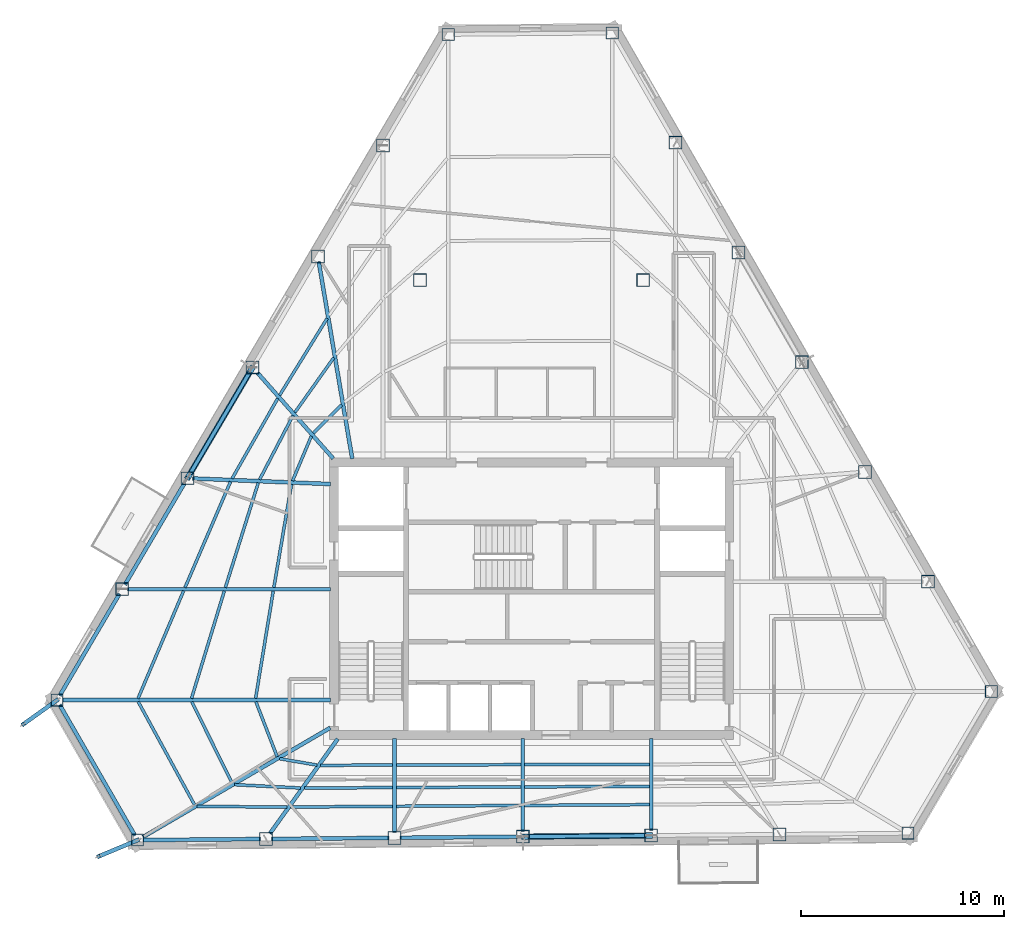
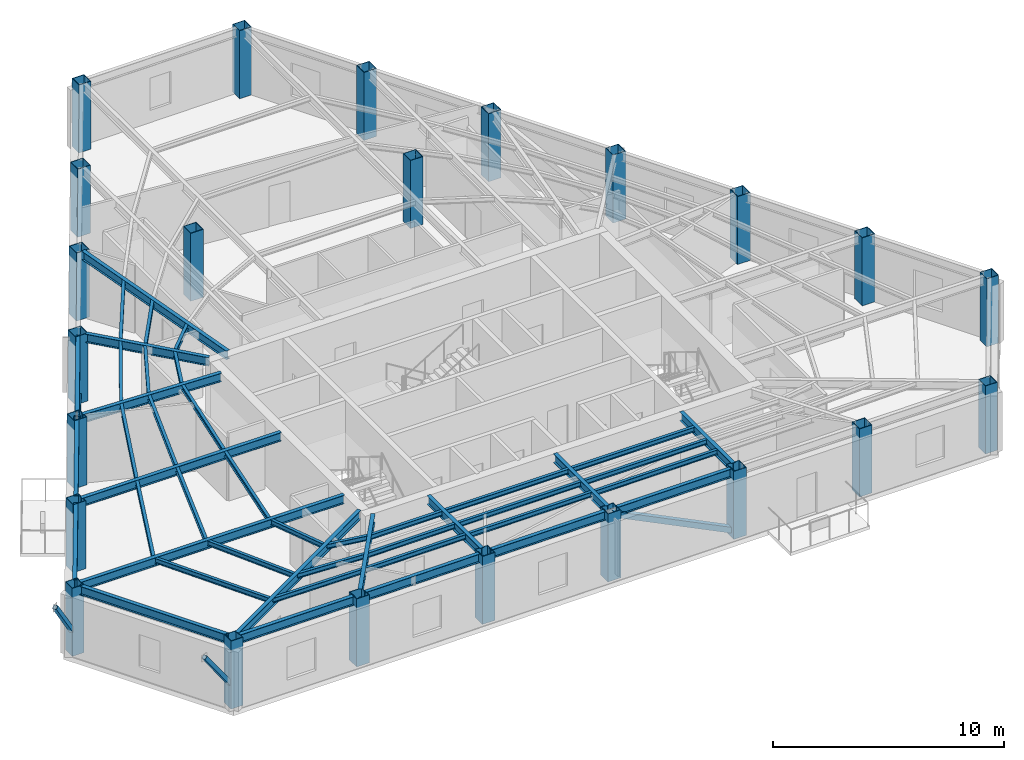
# One storey, part 1 of 14: 45 beams, 23 columns, 4 members.
"""IFC4 building model written with IfcOpenShell, lengths in metres."""

from ifc_helpers import new_model, si_unit, direction, frame, origin, origin_2d, place, context, subcontext, project, spatial, hollow_rectangle, i_section, extrude, material, material_profile, profile_set, type_object, element, save


model = new_model("IFC4")

# Units and contexts
model_context = context("Model", 3, precision=1e-05, world=origin(), true_north=direction((0.0, 1.0)))
body_context = subcontext(model_context, "Body", "Model", "MODEL_VIEW")
ifc_project = project(units=[si_unit("LENGTHUNIT", "METRE"), si_unit("AREAUNIT", "SQUARE_METRE"), si_unit("VOLUMEUNIT", "CUBIC_METRE"), si_unit("PLANEANGLEUNIT", "RADIAN"), si_unit("MASSUNIT", "GRAM", prefix="KILO")], contexts=[model_context])

# Site, building, storey
site_placement = place(None, origin())
site = spatial("IfcSite", under=ifc_project, at=site_placement, CompositionType="ELEMENT")
building_placement = place(site_placement, origin())
building = spatial("IfcBuilding", under=site, at=building_placement, Name="Kavelnor Concourse Tower", CompositionType="ELEMENT")
storey_placement = place(building_placement, frame((0.0, 0.0, 215.050048828125)))
storey = spatial("IfcBuildingStorey", under=building, at=storey_placement, Name="L54", CompositionType="ELEMENT", Elevation=215.050048828125)

# Columns
ifc_material = material(Name="Steel Grade 350", Category="steel")
ifc_material_profile_1 = material_profile(ifc_material, hollow_rectangle(XDim=0.60009765625, YDim=0.60009765625, WallThickness=0.028076171875, at=origin_2d()), Name="SHS 600x600x28")
ifc_profile_set_1 = profile_set([ifc_material_profile_1], Name="Steel Grade 350")
column_type_1 = type_object("IfcColumnType", Name="COL-FOLD-Z3", PredefinedType="COLUMN", material=ifc_profile_set_1)
for number, where, z_axis, x_axis, name in (
    (1, (33.890380859375, 43.91650390625, 0.0), (0.0, 0.0, 1.0), (1.0, 0.0, 0.0), "L54 Perimeter Corner-Fold Column F0-B0"),
    (2, (14.60546875, 11.100830078125, 0.0), (0.0, 0.0, 1.0), (1.0, 0.0, 0.0), "L54 Perimeter Corner-Fold Column F0-B6"),
    (3, (18.577392578125, 4.20068359375, 0.0), (0.0, 0.0, 1.0), (1.0, 0.0, 0.0), "L54 Perimeter Corner-Fold Column F1-B0"),
    (4, (56.552978515625, 4.542236328125, 0.0), (0.0, 0.0, 1.0), (1.0, 0.0, 0.0), "L54 Perimeter Corner-Fold Column F1-B6"),
    (5, (60.65966796875, 11.5302734375, 0.0), (0.0, 0.0, 1.0), (1.0, 0.0, 0.0), "L54 Perimeter Corner-Fold Column F2-B0"),
    (6, (41.97509765625, 43.9892578125, 0.0), (0.0, 0.0, 1.0), (1.0, 0.0, 0.0), "L54 Perimeter Corner-Fold Column F2-B6"),
):
    element("IfcColumn", number, at=place(storey_placement, frame(where, z_axis=z_axis, x_axis=x_axis)), inside=storey, type_object=column_type_1, Name=name, PredefinedType="COLUMN", context=body_context, shape_type="SweptSolid", body=[
        extrude(hollow_rectangle(XDim=0.60009765625, YDim=0.60009765625, WallThickness=0.028076171875, at=origin_2d()), origin(), (0.0, 0.0, 1.0), 3.599853515625),
    ])
ifc_material_profile_2 = material_profile(ifc_material, hollow_rectangle(XDim=0.639892578125, YDim=0.639892578125, WallThickness=0.028076171875, at=origin_2d()), Name="SHS 640x640x28")
ifc_profile_set_2 = profile_set([ifc_material_profile_2], Name="Steel Grade 350")
column_type_2 = type_object("IfcColumnType", Name="COL-TUBE-Z3", PredefinedType="COLUMN", material=ifc_profile_set_2)
for number, where, z_axis, x_axis, name in (
    (7, (30.67626953125, 38.447265625, 0.0), (0.0, 0.0, 1.0), (1.0, 0.0, 0.0), "L54 Perimeter Framed-Tube Column F0-B1"),
    (8, (27.4619140625, 32.97802734375, 0.0), (0.0, 0.0, 1.0), (1.0, 0.0, 0.0), "L54 Perimeter Framed-Tube Column F0-B2"),
    (9, (24.247802734375, 27.5087890625, 0.0), (0.0, 0.0, 1.0), (1.0, 0.0, 0.0), "L54 Perimeter Framed-Tube Column F0-B3"),
    (10, (21.03369140625, 22.03955078125, 0.0), (0.0, 0.0, 1.0), (1.0, 0.0, 0.0), "L54 Perimeter Framed-Tube Column F0-B4"),
    (11, (17.819580078125, 16.5703125, 0.0), (0.0, 0.0, 1.0), (1.0, 0.0, 0.0), "L54 Perimeter Framed-Tube Column F0-B5"),
    (12, (24.90673828125, 4.257568359375, 0.0), (0.0, 0.0, 1.0), (1.0, 0.0, 0.0), "L54 Perimeter Framed-Tube Column F1-B1"),
    (13, (31.236083984375, 4.314453125, 0.0), (0.0, 0.0, 1.0), (1.0, 0.0, 0.0), "L54 Perimeter Framed-Tube Column F1-B2"),
    (14, (37.565185546875, 4.37158203125, 0.0), (0.0, 0.0, 1.0), (1.0, 0.0, 0.0), "L54 Perimeter Framed-Tube Column F1-B3"),
    (15, (43.89453125, 4.428466796875, 0.0), (0.0, 0.0, 1.0), (1.0, 0.0, 0.0), "L54 Perimeter Framed-Tube Column F1-B4"),
    (16, (50.223876953125, 4.4853515625, 0.0), (0.0, 0.0, 1.0), (1.0, 0.0, 0.0), "L54 Perimeter Framed-Tube Column F1-B5"),
    (17, (57.54541015625, 16.93994140625, 0.0), (0.0, 0.0, 1.0), (1.0, 0.0, 0.0), "L54 Perimeter Framed-Tube Column F2-B1"),
    (18, (54.431396484375, 22.349853515625, 0.0), (0.0, 0.0, 1.0), (1.0, 0.0, 0.0), "L54 Perimeter Framed-Tube Column F2-B2"),
    (19, (51.3173828125, 27.759765625, 0.0), (0.0, 0.0, 1.0), (1.0, 0.0, 0.0), "L54 Perimeter Framed-Tube Column F2-B3"),
    (20, (48.203369140625, 33.169677734375, 0.0), (0.0, 0.0, 1.0), (1.0, 0.0, 0.0), "L54 Perimeter Framed-Tube Column F2-B4"),
    (21, (45.089111328125, 38.57958984375, 0.0), (0.0, 0.0, 1.0), (1.0, 0.0, 0.0), "L54 Perimeter Framed-Tube Column F2-B5"),
    (22, (32.5, 31.800048828125, 0.0), (0.0, 0.0, 1.0), (1.0, 0.0, 0.0), "L54 North Interior Gravity Column BC-NW"),
    (23, (43.5, 31.800048828125, 0.0), (0.0, 0.0, 1.0), (1.0, 0.0, 0.0), "L54 North Interior Gravity Column BC-NE"),
):
    element("IfcColumn", number, at=place(storey_placement, frame(where, z_axis=z_axis, x_axis=x_axis)), inside=storey, type_object=column_type_2, Name=name, PredefinedType="COLUMN", context=body_context, shape_type="SweptSolid", body=[
        extrude(hollow_rectangle(XDim=0.639892578125, YDim=0.639892578125, WallThickness=0.028076171875, at=origin_2d()), origin(), (0.0, 0.0, 1.0), 3.599853515625),
    ])

# Beams
ifc_material_profile_3 = material_profile(ifc_material, i_section(OverallWidth=0.14599609375, OverallDepth=0.256103515625, WebThickness=0.00634765625, FlangeThickness=0.010986328125, at=origin_2d()), Name="250UB37")
ifc_profile_set_3 = profile_set([ifc_material_profile_3], Name="Steel Grade 350")
beam_type_1 = type_object("IfcBeamType", Name="BM-JOIST-250", PredefinedType="JOIST", material=ifc_profile_set_3)
beam_1_placement = place(storey_placement, frame((24.412109375, 11.017822265625, 3.471923828125), z_axis=(0.360677433914, -0.932690617871, 0.0), x_axis=(0.932690617871, 0.360677433914, 0.0)))
element("IfcBeam", 24, at=beam_1_placement, inside=storey, type_object=beam_type_1, Name="L54 Secondary Composite Joist 01-1", PredefinedType="JOIST", context=body_context, shape_type="SweptSolid", body=[
    extrude(i_section(OverallWidth=0.14599609375, OverallDepth=0.256103515625, WebThickness=0.00634765625, FlangeThickness=0.010986328125, at=origin_2d()), origin(), (0.0, 0.0, 1.0), 2.8984375),
])
beam_2_placement = place(storey_placement, frame((21.248046875, 11.021240234375, 3.471923828125), z_axis=(0.444632572189, -0.895713054359, 0.0), x_axis=(0.895713054359, 0.444632572189, 0.0)))
element("IfcBeam", 25, at=beam_2_placement, inside=storey, type_object=beam_type_1, Name="L54 Secondary Composite Joist 01-2", PredefinedType="JOIST", context=body_context, shape_type="SweptSolid", body=[
    extrude(i_section(OverallWidth=0.14599609375, OverallDepth=0.256103515625, WebThickness=0.00634765625, FlangeThickness=0.010986328125, at=origin_2d()), origin(), (0.0, 0.0, 1.0), 4.468017578125),
])
beam_3_placement = place(storey_placement, frame((18.608154296875, 11.022705078125, 3.471923828125), z_axis=(0.479513645411, -0.877534423179, 0.0), x_axis=(0.877534423179, 0.479513645411, 0.0)))
element("IfcBeam", 26, at=beam_3_placement, inside=storey, type_object=beam_type_1, Name="L54 Secondary Composite Joist 01-3", PredefinedType="JOIST", context=body_context, shape_type="SweptSolid", body=[
    extrude(i_section(OverallWidth=0.14599609375, OverallDepth=0.256103515625, WebThickness=0.00634765625, FlangeThickness=0.010986328125, at=origin_2d()), origin(), (0.0, 0.0, 1.0), 5.791015625),
])
beam_4_placement = place(storey_placement, frame((25.577392578125, 8.21630859375, 3.471923828125), z_axis=(0.98562411995, -0.168952934787, 0.0), x_axis=(0.168952934787, 0.98562411995, 0.0)))
element("IfcBeam", 27, at=beam_4_placement, inside=storey, type_object=beam_type_1, Name="L54 Secondary Composite Joist 02-1", PredefinedType="JOIST", context=body_context, shape_type="SweptSolid", body=[
    extrude(i_section(OverallWidth=0.14599609375, OverallDepth=0.256103515625, WebThickness=0.00634765625, FlangeThickness=0.010986328125, at=origin_2d()), origin(), (0.0, 0.0, 1.0), 1.868408203125),
])
beam_5_placement = place(storey_placement, frame((23.363037109375, 6.93505859375, 3.471923828125), z_axis=(0.99871466304, -0.050685518935, 0.0), x_axis=(0.050685518935, 0.99871466304, 0.0)))
element("IfcBeam", 28, at=beam_5_placement, inside=storey, type_object=beam_type_1, Name="L54 Secondary Composite Joist 02-2", PredefinedType="JOIST", context=body_context, shape_type="SweptSolid", body=[
    extrude(i_section(OverallWidth=0.14599609375, OverallDepth=0.256103515625, WebThickness=0.00634765625, FlangeThickness=0.010986328125, at=origin_2d()), origin(), (0.0, 0.0, 1.0), 3.256103515625),
])
beam_6_placement = place(storey_placement, frame((21.516845703125, 5.8623046875, 3.471923828125), z_axis=(0.999977389789, -0.006724575105, 0.0), x_axis=(0.006724575105, 0.999977389789, 0.0)))
element("IfcBeam", 29, at=beam_6_placement, inside=storey, type_object=beam_type_1, Name="L54 Secondary Composite Joist 02-3", PredefinedType="JOIST", context=body_context, shape_type="SweptSolid", body=[
    extrude(i_section(OverallWidth=0.14599609375, OverallDepth=0.256103515625, WebThickness=0.00634765625, FlangeThickness=0.010986328125, at=origin_2d()), origin(), (0.0, 0.0, 1.0), 4.42919921875),
])
beam_7_placement = place(storey_placement, frame((27.595703125, 7.885986328125, 3.471923828125), z_axis=(0.999986707805, 0.005155988113, 0.0), x_axis=(-0.005155988113, 0.999986707805, 0.0)))
element("IfcBeam", 30, at=beam_7_placement, inside=storey, type_object=beam_type_1, Name="L54 Secondary Composite Joist 03-1", PredefinedType="JOIST", context=body_context, shape_type="SweptSolid", body=[
    extrude(i_section(OverallWidth=0.14599609375, OverallDepth=0.256103515625, WebThickness=0.00634765625, FlangeThickness=0.010986328125, at=origin_2d()), origin(), (0.0, 0.0, 1.0), 3.55126953125),
])
beam_8_placement = place(storey_placement, frame((26.79296875, 6.76611328125, 3.471923828125), z_axis=(0.999979209994, 0.006448223009, 0.0), x_axis=(-0.006448223009, 0.999979209994, 0.0)))
element("IfcBeam", 31, at=beam_8_placement, inside=storey, type_object=beam_type_1, Name="L54 Secondary Composite Joist 03-2", PredefinedType="JOIST", context=body_context, shape_type="SweptSolid", body=[
    extrude(i_section(OverallWidth=0.14599609375, OverallDepth=0.256103515625, WebThickness=0.00634765625, FlangeThickness=0.010986328125, at=origin_2d()), origin(), (0.0, 0.0, 1.0), 4.35400390625),
])
beam_9_placement = place(storey_placement, frame((26.1240234375, 5.83251953125, 3.471923828125), z_axis=(0.999973776661, 0.007241960373, 0.0), x_axis=(-0.007241960373, 0.999973776661, 0.0)))
element("IfcBeam", 32, at=beam_9_placement, inside=storey, type_object=beam_type_1, Name="L54 Secondary Composite Joist 03-3", PredefinedType="JOIST", context=body_context, shape_type="SweptSolid", body=[
    extrude(i_section(OverallWidth=0.14599609375, OverallDepth=0.256103515625, WebThickness=0.00634765625, FlangeThickness=0.010986328125, at=origin_2d()), origin(), (0.0, 0.0, 1.0), 5.023193359375),
])
for number, where, z_axis, x_axis, name in (
    (33, (31.324951171875, 7.905029296875, 3.471923828125), (0.999996773998, 0.002540077534, 0.0), (-0.002540077534, 0.999996773998, 0.0), "L54 Secondary Composite Joist 04-1"),
    (34, (31.324951171875, 6.795166015625, 3.471923828125), (0.99998903361, 0.004683231702, 0.0), (-0.004683231702, 0.99998903361, 0.0), "L54 Secondary Composite Joist 04-2"),
):
    element("IfcBeam", number, at=place(storey_placement, frame(where, z_axis=z_axis, x_axis=x_axis)), inside=storey, type_object=beam_type_1, Name=name, PredefinedType="JOIST", context=body_context, shape_type="SweptSolid", body=[
        extrude(i_section(OverallWidth=0.14599609375, OverallDepth=0.256103515625, WebThickness=0.00634765625, FlangeThickness=0.010986328125, at=origin_2d()), origin(), (0.0, 0.0, 1.0), 6.1513671875),
    ])
beam_10_placement = place(storey_placement, frame((31.324951171875, 5.8701171875, 3.471923828125), z_axis=(0.99997881733, 0.0065088318, 0.0), x_axis=(-0.0065088318, 0.99997881733, 0.0)))
element("IfcBeam", 35, at=beam_10_placement, inside=storey, type_object=beam_type_1, Name="L54 Secondary Composite Joist 04-3", PredefinedType="JOIST", context=body_context, shape_type="SweptSolid", body=[
    extrude(i_section(OverallWidth=0.14599609375, OverallDepth=0.256103515625, WebThickness=0.00634765625, FlangeThickness=0.010986328125, at=origin_2d()), origin(), (0.0, 0.0, 1.0), 6.151611328125),
])
for number, where, z_axis, x_axis, name in (
    (36, (37.654296875, 7.9208984375, 3.471923828125), (0.999996773998, 0.002540077534, 0.0), (-0.002540077534, 0.999996773998, 0.0), "L54 Secondary Composite Joist 05-1"),
    (37, (37.654296875, 6.82470703125, 3.471923828125), (0.99998903361, 0.004683231702, 0.0), (-0.004683231702, 0.99998903361, 0.0), "L54 Secondary Composite Joist 05-2"),
):
    element("IfcBeam", number, at=place(storey_placement, frame(where, z_axis=z_axis, x_axis=x_axis)), inside=storey, type_object=beam_type_1, Name=name, PredefinedType="JOIST", context=body_context, shape_type="SweptSolid", body=[
        extrude(i_section(OverallWidth=0.14599609375, OverallDepth=0.256103515625, WebThickness=0.00634765625, FlangeThickness=0.010986328125, at=origin_2d()), origin(), (0.0, 0.0, 1.0), 6.1513671875),
    ])
beam_11_placement = place(storey_placement, frame((37.654296875, 5.911376953125, 3.471923828125), z_axis=(0.99997907486, 0.006469145468, 0.0), x_axis=(-0.006469145468, 0.99997907486, 0.0)))
element("IfcBeam", 38, at=beam_11_placement, inside=storey, type_object=beam_type_1, Name="L54 Secondary Composite Joist 05-3", PredefinedType="JOIST", context=body_context, shape_type="SweptSolid", body=[
    extrude(i_section(OverallWidth=0.14599609375, OverallDepth=0.256103515625, WebThickness=0.00634765625, FlangeThickness=0.010986328125, at=origin_2d()), origin(), (0.0, 0.0, 1.0), 6.151611328125),
])
beam_12_placement = place(storey_placement, frame((28.63330078125, 25.658203125, 3.471923828125), z_axis=(-0.705313436664, -0.70889558897, 0.0), x_axis=(0.70889558897, -0.705313436664, 0.0)))
element("IfcBeam", 39, at=beam_12_placement, inside=storey, type_object=beam_type_1, Name="L54 Secondary Composite Joist 18-1", PredefinedType="JOIST", context=body_context, shape_type="SweptSolid", body=[
    extrude(i_section(OverallWidth=0.14599609375, OverallDepth=0.256103515625, WebThickness=0.00634765625, FlangeThickness=0.010986328125, at=origin_2d()), origin(), (0.0, 0.0, 1.0), 1.9765625),
])
beam_13_placement = place(storey_placement, frame((28.248046875, 27.980712890625, 3.471923828125), z_axis=(-0.578982714953, -0.815339816141, 0.0), x_axis=(0.815339816141, -0.578982714953, 0.0)))
element("IfcBeam", 40, at=beam_13_placement, inside=storey, type_object=beam_type_1, Name="L54 Secondary Composite Joist 18-2", PredefinedType="JOIST", context=body_context, shape_type="SweptSolid", body=[
    extrude(i_section(OverallWidth=0.14599609375, OverallDepth=0.256103515625, WebThickness=0.00634765625, FlangeThickness=0.010986328125, at=origin_2d()), origin(), (0.0, 0.0, 1.0), 3.310546875),
])
beam_14_placement = place(storey_placement, frame((27.922119140625, 29.9208984375, 3.471923828125), z_axis=(-0.525747140162, -0.850640902268, 0.0), x_axis=(0.850640902268, -0.525747140162, 0.0)))
element("IfcBeam", 41, at=beam_14_placement, inside=storey, type_object=beam_type_1, Name="L54 Secondary Composite Joist 18-3", PredefinedType="JOIST", context=body_context, shape_type="SweptSolid", body=[
    extrude(i_section(OverallWidth=0.14599609375, OverallDepth=0.256103515625, WebThickness=0.00634765625, FlangeThickness=0.010986328125, at=origin_2d()), origin(), (0.0, 0.0, 1.0), 4.4560546875),
])
beam_15_placement = place(storey_placement, frame((27.141845703125, 24.112060546875, 3.471923828125), z_axis=(-0.38848211579, -0.921456263591, 0.0), x_axis=(0.921456263591, -0.38848211579, 0.0)))
element("IfcBeam", 42, at=beam_15_placement, inside=storey, type_object=beam_type_1, Name="L54 Secondary Composite Joist 19-1", PredefinedType="JOIST", context=body_context, shape_type="SweptSolid", body=[
    extrude(i_section(OverallWidth=0.14599609375, OverallDepth=0.256103515625, WebThickness=0.00634765625, FlangeThickness=0.010986328125, at=origin_2d()), origin(), (0.0, 0.0, 1.0), 2.387451171875),
])
beam_16_placement = place(storey_placement, frame((26.23876953125, 25.1298828125, 3.471923828125), z_axis=(-0.46270668731, -0.886511433383, 0.0), x_axis=(0.886511433383, -0.46270668731, 0.0)))
element("IfcBeam", 43, at=beam_16_placement, inside=storey, type_object=beam_type_1, Name="L54 Secondary Composite Joist 19-2", PredefinedType="JOIST", context=body_context, shape_type="SweptSolid", body=[
    extrude(i_section(OverallWidth=0.14599609375, OverallDepth=0.256103515625, WebThickness=0.00634765625, FlangeThickness=0.010986328125, at=origin_2d()), origin(), (0.0, 0.0, 1.0), 3.558349609375),
])
beam_17_placement = place(storey_placement, frame((25.488525390625, 25.977294921875, 3.471923828125), z_axis=(-0.495178311103, -0.868791367483, 0.0), x_axis=(0.868791367483, -0.495178311103, 0.0)))
element("IfcBeam", 44, at=beam_17_placement, inside=storey, type_object=beam_type_1, Name="L54 Secondary Composite Joist 19-3", PredefinedType="JOIST", context=body_context, shape_type="SweptSolid", body=[
    extrude(i_section(OverallWidth=0.14599609375, OverallDepth=0.256103515625, WebThickness=0.00634765625, FlangeThickness=0.010986328125, at=origin_2d()), origin(), (0.0, 0.0, 1.0), 4.544921875),
])
beam_18_placement = place(storey_placement, frame((26.164794921875, 21.742431640625, 3.471923828125), z_axis=(-0.168634077375, -0.985678724508, 0.0), x_axis=(0.985678724508, -0.168634077375, 0.0)))
element("IfcBeam", 45, at=beam_18_placement, inside=storey, type_object=beam_type_1, Name="L54 Secondary Composite Joist 20-1", PredefinedType="JOIST", context=body_context, shape_type="SweptSolid", body=[
    extrude(i_section(OverallWidth=0.14599609375, OverallDepth=0.256103515625, WebThickness=0.00634765625, FlangeThickness=0.010986328125, at=origin_2d()), origin(), (0.0, 0.0, 1.0), 5.158447265625),
])
beam_19_placement = place(storey_placement, frame((24.5244140625, 21.8115234375, 3.471923828125), z_axis=(-0.299373137159, -0.954136114371, 0.0), x_axis=(0.954136114371, -0.299373137159, 0.0)))
element("IfcBeam", 46, at=beam_19_placement, inside=storey, type_object=beam_type_1, Name="L54 Secondary Composite Joist 20-2", PredefinedType="JOIST", context=body_context, shape_type="SweptSolid", body=[
    extrude(i_section(OverallWidth=0.14599609375, OverallDepth=0.256103515625, WebThickness=0.00634765625, FlangeThickness=0.010986328125, at=origin_2d()), origin(), (0.0, 0.0, 1.0), 5.404296875),
])
beam_20_placement = place(storey_placement, frame((23.15869140625, 21.869873046875, 3.471923828125), z_axis=(-0.39506547782, -0.918652963983, 0.0), x_axis=(0.918652963983, -0.39506547782, 0.0)))
element("IfcBeam", 47, at=beam_20_placement, inside=storey, type_object=beam_type_1, Name="L54 Secondary Composite Joist 20-3", PredefinedType="JOIST", context=body_context, shape_type="SweptSolid", body=[
    extrude(i_section(OverallWidth=0.14599609375, OverallDepth=0.256103515625, WebThickness=0.00634765625, FlangeThickness=0.010986328125, at=origin_2d()), origin(), (0.0, 0.0, 1.0), 5.6796875),
])
beam_21_placement = place(storey_placement, frame((25.265380859375, 16.482421875, 3.471923828125), z_axis=(-0.162369269491, -0.986730064569, 0.0), x_axis=(0.986730064569, -0.162369269491, 0.0)))
element("IfcBeam", 48, at=beam_21_placement, inside=storey, type_object=beam_type_1, Name="L54 Secondary Composite Joist 21-1", PredefinedType="JOIST", context=body_context, shape_type="SweptSolid", body=[
    extrude(i_section(OverallWidth=0.14599609375, OverallDepth=0.256103515625, WebThickness=0.00634765625, FlangeThickness=0.010986328125, at=origin_2d()), origin(), (0.0, 0.0, 1.0), 5.364990234375),
])
beam_22_placement = place(storey_placement, frame((22.853759765625, 16.485107421875, 3.471923828125), z_axis=(-0.292215177354, -0.956352597175, 0.0), x_axis=(0.956352597175, -0.292215177354, 0.0)))
element("IfcBeam", 49, at=beam_22_placement, inside=storey, type_object=beam_type_1, Name="L54 Secondary Composite Joist 21-2", PredefinedType="JOIST", context=body_context, shape_type="SweptSolid", body=[
    extrude(i_section(OverallWidth=0.14599609375, OverallDepth=0.256103515625, WebThickness=0.00634765625, FlangeThickness=0.010986328125, at=origin_2d()), origin(), (0.0, 0.0, 1.0), 5.541015625),
])
beam_23_placement = place(storey_placement, frame((20.844970703125, 16.48828125, 3.471923828125), z_axis=(-0.389680083555, -0.920950287736, 0.0), x_axis=(0.920950287736, -0.389680083555, 0.0)))
element("IfcBeam", 50, at=beam_23_placement, inside=storey, type_object=beam_type_1, Name="L54 Secondary Composite Joist 21-3", PredefinedType="JOIST", context=body_context, shape_type="SweptSolid", body=[
    extrude(i_section(OverallWidth=0.14599609375, OverallDepth=0.256103515625, WebThickness=0.00634765625, FlangeThickness=0.010986328125, at=origin_2d()), origin(), (0.0, 0.0, 1.0), 5.7607421875),
])
ifc_material_profile_4 = material_profile(ifc_material, i_section(OverallWidth=0.18994140625, OverallDepth=0.4541015625, WebThickness=0.008544921875, FlangeThickness=0.0126953125, at=origin_2d()), Name="460UB67")
ifc_profile_set_4 = profile_set([ifc_material_profile_4], Name="Steel Grade 350")
beam_type_2 = type_object("IfcBeamType", Name="BM-PRIMARY-460", PredefinedType="BEAM", material=ifc_profile_set_4)
beam_24_placement = place(storey_placement, frame((29.15869140625, 23.00048828125, 3.373046875), z_axis=(-0.167643642323, 0.985847660234, 0.0), x_axis=(-0.985847660234, -0.167643642323, 0.0)))
element("IfcBeam", 51, at=beam_24_placement, inside=storey, type_object=beam_type_2, Name="L54 Primary Floor Girder F0-B2", PredefinedType="BEAM", context=body_context, shape_type="SweptSolid", body=[
    extrude(i_section(OverallWidth=0.18994140625, OverallDepth=0.4541015625, WebThickness=0.008544921875, FlangeThickness=0.0126953125, at=origin_2d()), origin(), (0.0, 0.0, 1.0), 9.856201171875),
])
beam_25_placement = place(storey_placement, frame((28.22265625, 23.010009765625, 3.373046875), z_axis=(-0.662102311196, 0.749413456984, 0.0), x_axis=(-0.749413456984, -0.662102311196, 0.0)))
element("IfcBeam", 52, at=beam_25_placement, inside=storey, type_object=beam_type_2, Name="L54 Primary Floor Girder F0-B3", PredefinedType="BEAM", context=body_context, shape_type="SweptSolid", body=[
    extrude(i_section(OverallWidth=0.18994140625, OverallDepth=0.4541015625, WebThickness=0.008544921875, FlangeThickness=0.0126953125, at=origin_2d()), origin(), (0.0, 0.0, 1.0), 5.642822265625),
])
beam_26_placement = place(storey_placement, frame((28.080078125, 21.7529296875, 3.373046875), z_axis=(-0.999174735495, 0.040618320362, 0.0), x_axis=(-0.040618320362, -0.999174735495, 0.0)))
element("IfcBeam", 53, at=beam_26_placement, inside=storey, type_object=beam_type_2, Name="L54 Primary Floor Girder F0-B4", PredefinedType="BEAM", context=body_context, shape_type="SweptSolid", body=[
    extrude(i_section(OverallWidth=0.18994140625, OverallDepth=0.4541015625, WebThickness=0.008544921875, FlangeThickness=0.0126953125, at=origin_2d()), origin(), (0.0, 0.0, 1.0), 6.7919921875),
])
beam_27_placement = place(storey_placement, frame((28.080078125, 16.5703125, 3.373046875), z_axis=(-1.0, 0.0, 0.0), x_axis=(0.0, -1.0, 0.0)))
element("IfcBeam", 54, at=beam_27_placement, inside=storey, type_object=beam_type_2, Name="L54 Primary Floor Girder F0-B5", PredefinedType="BEAM", context=body_context, shape_type="SweptSolid", body=[
    extrude(i_section(OverallWidth=0.18994140625, OverallDepth=0.4541015625, WebThickness=0.008544921875, FlangeThickness=0.0126953125, at=origin_2d()), origin(), (0.0, 0.0, 1.0), 10.00048828125),
])
beam_28_placement = place(storey_placement, frame((28.080078125, 11.100830078125, 3.373046875), z_axis=(-1.0, 0.0, 0.0), x_axis=(0.0, -1.0, 0.0)))
element("IfcBeam", 55, at=beam_28_placement, inside=storey, type_object=beam_type_2, Name="L54 Primary Floor Girder F0-B6", PredefinedType="BEAM", context=body_context, shape_type="SweptSolid", body=[
    extrude(i_section(OverallWidth=0.18994140625, OverallDepth=0.4541015625, WebThickness=0.008544921875, FlangeThickness=0.0126953125, at=origin_2d()), origin(), (0.0, 0.0, 1.0), 13.214599609375),
])
beam_29_placement = place(storey_placement, frame((28.07470703125, 9.73876953125, 3.373046875), z_axis=(-0.863854292987, -0.503741759722, 0.0), x_axis=(0.503741759722, -0.863854292987, 0.0)))
element("IfcBeam", 56, at=beam_29_placement, inside=storey, type_object=beam_type_2, Name="L54 Primary Floor Girder F1-B0", PredefinedType="BEAM", context=body_context, shape_type="SweptSolid", body=[
    extrude(i_section(OverallWidth=0.18994140625, OverallDepth=0.4541015625, WebThickness=0.008544921875, FlangeThickness=0.0126953125, at=origin_2d()), origin(), (0.0, 0.0, 1.0), 10.6865234375),
])
beam_30_placement = place(storey_placement, frame((28.443115234375, 9.1923828125, 3.373046875), z_axis=(-0.582504427747, -0.812827528849, 0.0), x_axis=(0.812827528849, -0.582504427747, 0.0)))
element("IfcBeam", 57, at=beam_30_placement, inside=storey, type_object=beam_type_2, Name="L54 Primary Floor Girder F1-B1", PredefinedType="BEAM", context=body_context, shape_type="SweptSolid", body=[
    extrude(i_section(OverallWidth=0.18994140625, OverallDepth=0.4541015625, WebThickness=0.008544921875, FlangeThickness=0.0126953125, at=origin_2d()), origin(), (0.0, 0.0, 1.0), 5.741943359375),
])
beam_31_placement = place(storey_placement, frame((31.236083984375, 9.199951171875, 3.373046875), z_axis=(0.0, -1.0, 0.0), x_axis=(1.0, 0.0, 0.0)))
element("IfcBeam", 58, at=beam_31_placement, inside=storey, type_object=beam_type_2, Name="L54 Primary Floor Girder F1-B2", PredefinedType="BEAM", context=body_context, shape_type="SweptSolid", body=[
    extrude(i_section(OverallWidth=0.18994140625, OverallDepth=0.4541015625, WebThickness=0.008544921875, FlangeThickness=0.0126953125, at=origin_2d()), origin(), (0.0, 0.0, 1.0), 4.62548828125),
])
beam_32_placement = place(storey_placement, frame((37.565185546875, 9.199951171875, 3.373046875), z_axis=(0.0, -1.0, 0.0), x_axis=(1.0, 0.0, 0.0)))
element("IfcBeam", 59, at=beam_32_placement, inside=storey, type_object=beam_type_2, Name="L54 Primary Floor Girder F1-B3", PredefinedType="BEAM", context=body_context, shape_type="SweptSolid", body=[
    extrude(i_section(OverallWidth=0.18994140625, OverallDepth=0.4541015625, WebThickness=0.008544921875, FlangeThickness=0.0126953125, at=origin_2d()), origin(), (0.0, 0.0, 1.0), 4.568359375),
])
beam_33_placement = place(storey_placement, frame((43.89453125, 9.199951171875, 3.373046875), z_axis=(0.0, -1.0, 0.0), x_axis=(1.0, 0.0, 0.0)))
element("IfcBeam", 60, at=beam_33_placement, inside=storey, type_object=beam_type_2, Name="L54 Primary Floor Girder F1-B4", PredefinedType="BEAM", context=body_context, shape_type="SweptSolid", body=[
    extrude(i_section(OverallWidth=0.18994140625, OverallDepth=0.4541015625, WebThickness=0.008544921875, FlangeThickness=0.0126953125, at=origin_2d()), origin(), (0.0, 0.0, 1.0), 4.511474609375),
])
ifc_material_profile_5 = material_profile(ifc_material, i_section(OverallWidth=0.19091796875, OverallDepth=0.4599609375, WebThickness=0.010009765625, FlangeThickness=0.01611328125, at=origin_2d()), Name="460UB82")
ifc_profile_set_5 = profile_set([ifc_material_profile_5], Name="Steel Grade 350")
beam_type_3 = type_object("IfcBeamType", Name="BM-SPANDREL-Z3", PredefinedType="SPANDREL", material=ifc_profile_set_5)
beam_34_placement = place(storey_placement, frame((24.113525390625, 27.2802734375, 3.369873046875), z_axis=(-0.506630997861, -0.862162996194, 0.0), x_axis=(0.862162996194, -0.506630997861, 0.0)))
element("IfcBeam", 61, at=beam_34_placement, inside=storey, type_object=beam_type_3, Name="L54 Perimeter Tube Spandrel Beam F0-B3", PredefinedType="SPANDREL", context=body_context, shape_type="SweptSolid", body=[
    extrude(i_section(OverallWidth=0.19091796875, OverallDepth=0.4599609375, WebThickness=0.010009765625, FlangeThickness=0.01611328125, at=origin_2d()), origin(), (0.0, 0.0, 1.0), 5.8134765625),
])
for number, where, z_axis, x_axis, name in (
    (62, (20.8994140625, 21.81103515625, 3.369873046875), (-0.506643869731, -0.862155432196, 0.0), (0.862155432196, -0.506643869731, 0.0), "L54 Perimeter Tube Spandrel Beam F0-B4"),
    (63, (17.685302734375, 16.341796875, 3.369873046875), (-0.506643869731, -0.862155432196, 0.0), (0.862155432196, -0.506643869731, 0.0), "L54 Perimeter Tube Spandrel Beam F0-B5"),
):
    element("IfcBeam", number, at=place(storey_placement, frame(where, z_axis=z_axis, x_axis=x_axis)), inside=storey, type_object=beam_type_3, Name=name, PredefinedType="SPANDREL", context=body_context, shape_type="SweptSolid", body=[
        extrude(i_section(OverallWidth=0.19091796875, OverallDepth=0.4599609375, WebThickness=0.010009765625, FlangeThickness=0.01611328125, at=origin_2d()), origin(), (0.0, 0.0, 1.0), 5.81396484375),
    ])
beam_35_placement = place(storey_placement, frame((18.842529296875, 4.203125, 3.369873046875), z_axis=(0.999959799679, 0.008966550363, 0.0), x_axis=(-0.008966550363, 0.999959799679, 0.0)))
element("IfcBeam", 64, at=beam_35_placement, inside=storey, type_object=beam_type_3, Name="L54 Perimeter Tube Spandrel Beam F1-B0", PredefinedType="SPANDREL", context=body_context, shape_type="SweptSolid", body=[
    extrude(i_section(OverallWidth=0.19091796875, OverallDepth=0.4599609375, WebThickness=0.010009765625, FlangeThickness=0.01611328125, at=origin_2d()), origin(), (0.0, 0.0, 1.0), 5.799560546875),
])
beam_36_placement = place(storey_placement, frame((25.171875, 4.260009765625, 3.369873046875), z_axis=(0.999959796295, 0.008966927824, 0.0), x_axis=(-0.008966927824, 0.999959796295, 0.0)))
element("IfcBeam", 65, at=beam_36_placement, inside=storey, type_object=beam_type_3, Name="L54 Perimeter Tube Spandrel Beam F1-B1", PredefinedType="SPANDREL", context=body_context, shape_type="SweptSolid", body=[
    extrude(i_section(OverallWidth=0.19091796875, OverallDepth=0.4599609375, WebThickness=0.010009765625, FlangeThickness=0.01611328125, at=origin_2d()), origin(), (0.0, 0.0, 1.0), 5.79931640625),
])
for number, where, z_axis, x_axis, name in (
    (66, (31.5009765625, 4.31689453125, 3.369873046875), (0.999959421348, 0.009008643436, 0.0), (-0.009008643436, 0.999959421348, 0.0), "L54 Perimeter Tube Spandrel Beam F1-B2"),
    (67, (37.830322265625, 4.373779296875, 3.369873046875), (0.999959421348, 0.009008643436, 0.0), (-0.009008643436, 0.999959421348, 0.0), "L54 Perimeter Tube Spandrel Beam F1-B3"),
):
    element("IfcBeam", number, at=place(storey_placement, frame(where, z_axis=z_axis, x_axis=x_axis)), inside=storey, type_object=beam_type_3, Name=name, PredefinedType="SPANDREL", context=body_context, shape_type="SweptSolid", body=[
        extrude(i_section(OverallWidth=0.19091796875, OverallDepth=0.4599609375, WebThickness=0.010009765625, FlangeThickness=0.01611328125, at=origin_2d()), origin(), (0.0, 0.0, 1.0), 5.799560546875),
    ])
beam_37_placement = place(storey_placement, frame((14.73779296875, 10.87109375, 3.369873046875), z_axis=(0.498888928919, -0.866665931372, 0.0), x_axis=(0.866665931372, 0.498888928919, 0.0)))
element("IfcBeam", 68, at=beam_37_placement, inside=storey, type_object=beam_type_3, Name="L54 Chamfer Facet Spandrel Beam C1", PredefinedType="SPANDREL", context=body_context, shape_type="SweptSolid", body=[
    extrude(i_section(OverallWidth=0.19091796875, OverallDepth=0.4599609375, WebThickness=0.010009765625, FlangeThickness=0.01611328125, at=origin_2d()), origin(), (0.0, 0.0, 1.0), 7.431640625),
])

# Members
ifc_material_profile_6 = material_profile(ifc_material, hollow_rectangle(XDim=0.199951171875, YDim=0.199951171875, WallThickness=0.011962890625, at=origin_2d()), Name="SHS 200x200x12")
ifc_profile_set_6 = profile_set([ifc_material_profile_6], Name="Steel Grade 350")
member_type_1 = type_object("IfcMemberType", Name="MBR-TERR-STRUT-200", PredefinedType="STRUT", material=ifc_profile_set_6)
member_1_placement = place(storey_placement, frame((14.60546875, 11.100830078125, 0.89990234375), z_axis=(-0.488014847331, -0.348510603063, 0.80023863212), x_axis=(0.581159317918, -0.813789805292, 0.0)))
element("IfcMember", 69, at=member_1_placement, inside=storey, type_object=member_type_1, Name="L54 Spiral Terrace Raking Knee Strut C1-A", PredefinedType="STRUT", context=body_context, shape_type="SweptSolid", body=[
    extrude(hollow_rectangle(XDim=0.199951171875, YDim=0.199951171875, WallThickness=0.011962890625, at=origin_2d()), origin(), (0.0, 0.0, 1.0), 3.41796875),
])
member_2_placement = place(storey_placement, frame((18.577392578125, 4.20068359375, 0.89990234375), z_axis=(-0.559375931077, -0.233434199947, 0.795365979928), x_axis=(0.385122657802, -0.922865395628, 0.0)))
element("IfcMember", 70, at=member_2_placement, inside=storey, type_object=member_type_1, Name="L54 Spiral Terrace Raking Knee Strut C1-B", PredefinedType="STRUT", context=body_context, shape_type="SweptSolid", body=[
    extrude(hollow_rectangle(XDim=0.199951171875, YDim=0.199951171875, WallThickness=0.011962890625, at=origin_2d()), origin(), (0.0, 0.0, 1.0), 3.438720703125),
])
ifc_material_profile_7 = material_profile(ifc_material, hollow_rectangle(XDim=0.280029296875, YDim=0.280029296875, WallThickness=0.01611328125, at=origin_2d()), Name="SHS 280x280x16")
ifc_profile_set_7 = profile_set([ifc_material_profile_7], Name="Steel Grade 350")
member_type_2 = type_object("IfcMemberType", Name="MBR-TUBE-DIAG-Z3", PredefinedType="BRACE", material=ifc_profile_set_7)
member_3_placement = place(storey_placement, frame((24.247802734375, 27.5087890625, 0.219970703125), z_axis=(-0.453796000519, -0.772194303352, 0.444730421473), x_axis=(0.862146847055, -0.506658478773, 0.0)))
element("IfcMember", 71, at=member_3_placement, inside=storey, type_object=member_type_2, Name="L54 Framed-Tube Bracing Diagonal F0-B3", PredefinedType="BRACE", context=body_context, shape_type="SweptSolid", body=[
    extrude(hollow_rectangle(XDim=0.280029296875, YDim=0.280029296875, WallThickness=0.01611328125, at=origin_2d()), origin(), (0.0, 0.0, 1.0), 7.082763671875),
])
member_4_placement = place(storey_placement, frame((43.89453125, 4.428466796875, 0.219970703125), z_axis=(-0.895232343426, -0.008045868313, 0.445527008482), x_axis=(0.008987100881, -0.999959615193, 0.0)))
element("IfcMember", 72, at=member_4_placement, inside=storey, type_object=member_type_2, Name="L54 Framed-Tube Bracing Diagonal F1-B3", PredefinedType="BRACE", context=body_context, shape_type="SweptSolid", body=[
    extrude(hollow_rectangle(XDim=0.280029296875, YDim=0.280029296875, WallThickness=0.01611328125, at=origin_2d()), origin(), (0.0, 0.0, 1.0), 7.070068359375),
])

save(model, "model.ifc")
